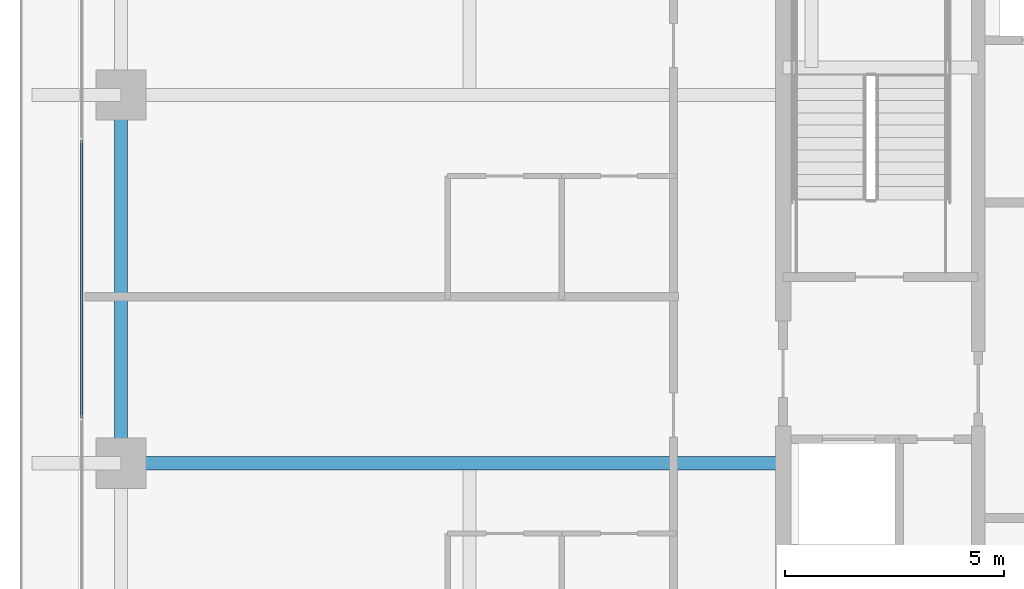
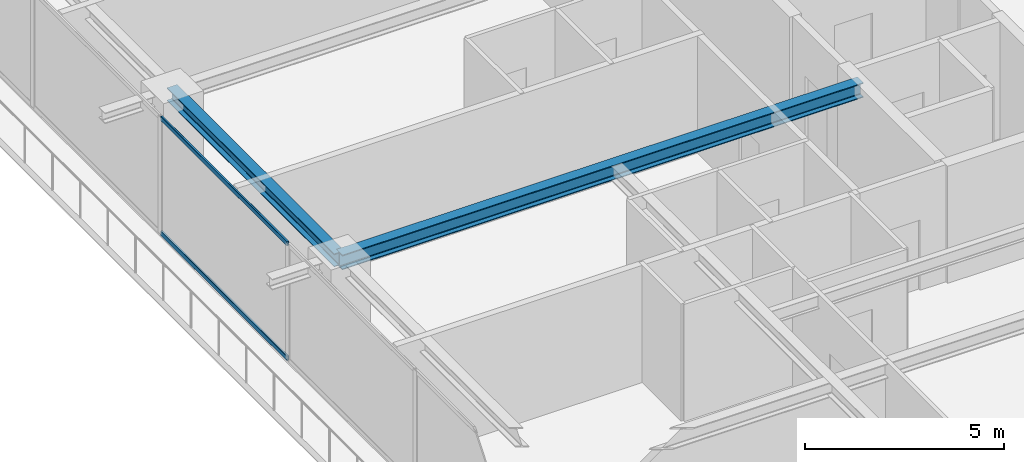
# One storey, part 8 of 37: 2 beams, 2 members, 1 element without a shape of its own.
"""IFC4 building model written with IfcOpenShell, lengths in metres."""

from ifc_helpers import new_model, si_unit, direction, frame, origin, origin_2d, place, context, subcontext, project, spatial, hollow_rectangle, i_section, extrude, source, transform, mapped, material, layer, layer_set, material_profile, profile_set, type_object, element, aggregate, save


model = new_model("IFC4")

# Units and contexts
model_context = context("Model", 3, precision=1e-05, world=origin(), true_north=direction((0.0, 1.0)))
body_context = subcontext(model_context, "Body", "Model", "MODEL_VIEW")
ifc_project = project(units=[si_unit("LENGTHUNIT", "METRE"), si_unit("AREAUNIT", "SQUARE_METRE"), si_unit("VOLUMEUNIT", "CUBIC_METRE"), si_unit("PLANEANGLEUNIT", "RADIAN"), si_unit("MASSUNIT", "GRAM", prefix="KILO")], contexts=[model_context])

# Site, building, storey
site_placement = place(None, origin())
site = spatial("IfcSite", under=ifc_project, at=site_placement, CompositionType="ELEMENT")
building_placement = place(site_placement, origin())
building = spatial("IfcBuilding", under=site, at=building_placement, Name="Serunith Strait Residences", CompositionType="ELEMENT")
storey_placement = place(building_placement, frame((0.0, 0.0, 260.5)))
storey = spatial("IfcBuildingStorey", under=building, at=storey_placement, Name="L65", CompositionType="ELEMENT", Elevation=260.5)

# Beams
ifc_material_1 = material(Name="Steel S355J2", Category="steel")
ifc_material_profile_1 = material_profile(ifc_material_1, i_section(OverallWidth=0.300048828125, OverallDepth=0.449951171875, WebThickness=0.013916015625, FlangeThickness=0.02587890625, FilletRadius=0.027099609375, at=origin_2d()), Name="HEB 450")
ifc_profile_set_1 = profile_set([ifc_material_profile_1], Name="Steel S355J2")
beam_type_1 = type_object("IfcBeamType", Name="BM-HEB450", PredefinedType="BEAM", material=ifc_profile_set_1)
shared_shape_1 = source(origin(), body_context, "Body", "SweptSolid", [
    extrude(i_section(OverallWidth=0.300048828125, OverallDepth=0.449951171875, WebThickness=0.013916015625, FlangeThickness=0.02587890625, FilletRadius=0.027099609375, at=origin_2d()), origin(), (0.0, 0.0, 1.0), 15.099853515625),
])
beam_1_placement = place(storey_placement, frame((23.39990234375, 21.0, 3.362060546875), z_axis=(-1.0, 0.0, 0.0), x_axis=(0.0, -1.0, 0.0)))
element("IfcBeam", 1, at=beam_1_placement, inside=storey, type_object=beam_type_1, Name="L65 Primary Floor Girder TC-W2", PredefinedType="BEAM", context=body_context, shape_type="MappedRepresentation", body=[
    mapped(shared_shape_1, transform((0.0, 0.0, 0.0), scale=1.0)),
])
ifc_material_profile_2 = material_profile(ifc_material_1, i_section(OverallWidth=0.300048828125, OverallDepth=0.39990234375, WebThickness=0.013427734375, FlangeThickness=0.02392578125, FilletRadius=0.027099609375, at=origin_2d()), Name="HEB 400")
ifc_profile_set_2 = profile_set([ifc_material_profile_2], Name="Steel S355J2")
beam_type_2 = type_object("IfcBeamType", Name="BM-HEB400", PredefinedType="BEAM", material=ifc_profile_set_2)
shared_shape_2 = source(origin(), body_context, "Body", "SweptSolid", [
    extrude(i_section(OverallWidth=0.300048828125, OverallDepth=0.39990234375, WebThickness=0.013427734375, FlangeThickness=0.02392578125, FilletRadius=0.027099609375, at=origin_2d()), origin(), (0.0, 0.0, 1.0), 8.39990234375),
])
beam_2_placement = place(storey_placement, frame((8.300048828125, 29.39990234375, 3.386962890625), z_axis=(0.0, -1.0, 0.0), x_axis=(1.0, 0.0, 0.0)))
element("IfcBeam", 2, at=beam_2_placement, inside=storey, type_object=beam_type_2, Name="L65 Perimeter Ring Beam 14", PredefinedType="BEAM", context=body_context, shape_type="MappedRepresentation", body=[
    mapped(shared_shape_2, transform((0.0, 0.0, 0.0), scale=1.0)),
])

# Curtain wall, members
ifc_material_2 = material(Name="Pale-Champagne Anodised Aluminium", Category="aluminium")
ifc_layer = layer(ifc_material_2, 0.199951171875, Name="Pale-Champagne Anodised Aluminium")
ifc_layer_set = layer_set([ifc_layer], Name="Pale-Champagne Anodised Aluminium")
curtain_wall_type = type_object("IfcCurtainWallType", Name="CW-SYS4", PredefinedType="NOTDEFINED", material=ifc_layer_set)
curtain_wall_placement = place(storey_placement, origin())
curtain_wall = element("IfcCurtainWall", 3, at=curtain_wall_placement, inside=storey, type_object=curtain_wall_type, Name="L65 W Unitised Fritted Curtain Wall", PredefinedType="NOTDEFINED")
ifc_material_profile_3 = material_profile(ifc_material_2, hollow_rectangle(XDim=0.06005859375, YDim=0.139892578125, WallThickness=0.00341796875, InnerFilletRadius=0.00537109375, OuterFilletRadius=0.0087890625, at=origin_2d()), Name="ALU 140x60x3.5")
ifc_profile_set_3 = profile_set([ifc_material_profile_3], Name="Pale-Champagne Anodised Aluminium")
member_type = type_object("IfcMemberType", Name="CW-SYS4-TRAN", PredefinedType="USERDEFINED", material=ifc_profile_set_3)
shared_shape_3 = source(origin(), body_context, "Body", "SweptSolid", [
    extrude(hollow_rectangle(XDim=0.06005859375, YDim=0.139892578125, WallThickness=0.00341796875, InnerFilletRadius=0.00537109375, OuterFilletRadius=0.0087890625, at=origin_2d()), origin(), (0.0, 0.0, 1.0), 6.3349609375),
])
member_1_placement = place(storey_placement, frame((7.39990234375, 28.367431640625, 0.030029296875), z_axis=(0.0, -1.0, 0.0), x_axis=(1.0, 0.0, 0.0)))
member_1 = element("IfcMember", 4, at=member_1_placement, type_object=member_type, Name="CW-4 transom 3.1", ObjectType="TRANSOM", PredefinedType="USERDEFINED", context=body_context, shape_type="MappedRepresentation", body=[
    mapped(shared_shape_3, transform((0.0, 0.0, 0.0), scale=1.0)),
])
member_2_placement = place(storey_placement, frame((7.39990234375, 28.367431640625, 3.544921875), z_axis=(0.0, -1.0, 0.0), x_axis=(1.0, 0.0, 0.0)))
member_2 = element("IfcMember", 5, at=member_2_placement, type_object=member_type, Name="CW-4 transom 3.2", ObjectType="TRANSOM", PredefinedType="USERDEFINED", context=body_context, shape_type="MappedRepresentation", body=[
    mapped(shared_shape_3, transform((0.0, 0.0, 0.0), scale=1.0)),
])
aggregate(curtain_wall, [member_1, member_2])

save(model, "model.ifc")
